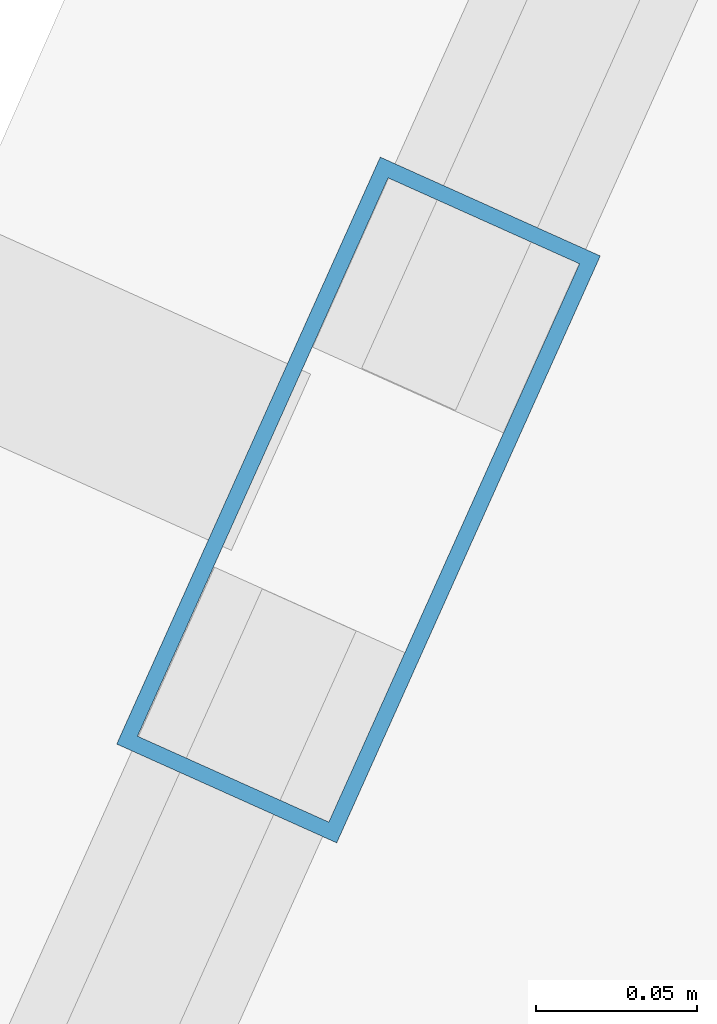
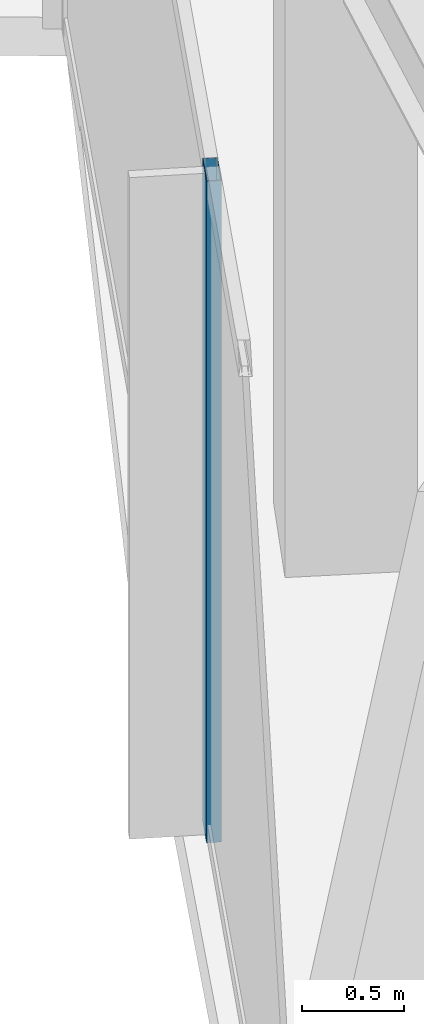
# One storey, part 4 of 22: 1 member, 1 element without a shape of its own.
"""IFC4 building model written with IfcOpenShell, lengths in metres."""

import ifcopenshell
import ifcopenshell.guid

model = None  # the IFC model being written
_history = None  # IfcOwnerHistory: only IFC2X3 demands one
_inside = {}  # id of a spatial element -> (the spatial element, [elements in it])
_under = {}  # id of a project, library or spatial element -> (it, [spatial elements below it])
_declared = {}  # id of a project -> (the project, [libraries it declares])
_typed = {}  # id of a type object -> (the type object, [elements of that type])
_made_of = {}  # id of a material, layer set ... -> (it, [elements and type objects made of it])


def new_model(schema):
    """Start an empty IFC model of exactly this schema.

    Asked for "IFC4X3", IfcOpenShell would pick the latest addendum, in which some entities
    have other attributes; the version numbers below select the first issue.
    IFC2X3 requires an IfcOwnerHistory on every rooted entity: one is made here for all.
    """
    global model, _history
    if schema == "IFC4X3":
        model = ifcopenshell.file(schema_version=(4, 3, 0, 0))
    else:
        model = ifcopenshell.file(schema=schema)
    _inside.clear()
    _under.clear()
    _declared.clear()
    _typed.clear()
    _made_of.clear()
    _history = None
    if model.schema == "IFC2X3":
        org = make("IfcOrganization", Name="unknown")
        user = make(
            "IfcPersonAndOrganization",
            ThePerson=make("IfcPerson", FamilyName="unknown"),
            TheOrganization=org,
        )
        app = make(
            "IfcApplication",
            ApplicationDeveloper=org,
            Version="unknown",
            ApplicationFullName="unknown",
            ApplicationIdentifier="unknown",
        )
        _history = make(
            "IfcOwnerHistory",
            OwningUser=user,
            OwningApplication=app,
            ChangeAction="ADDED",
            CreationDate=0,
        )
    return model


def make(cls, **values):
    """One entity of the class cls with the attributes given. An attribute that is None is left unset."""
    return model.create_entity(
        cls, **{name: value for name, value in values.items() if value is not None}
    )


def rooted(cls, **values):
    """An entity with a GlobalId (a new one), such as an element, a storey or a relation."""
    return make(cls, GlobalId=ifcopenshell.guid.new(), OwnerHistory=_history, **values)


def si_unit(unit_type, name, prefix=None):
    """IfcSIUnit, for example si_unit("LENGTHUNIT", "METRE", prefix="MILLI")."""
    return make("IfcSIUnit", UnitType=unit_type, Prefix=prefix, Name=name)


def assignment(units):
    """IfcUnitAssignment: the units of a project."""
    return None if units is None else make("IfcUnitAssignment", Units=units)


def point(xyz):
    """IfcCartesianPoint."""
    return None if xyz is None else make("IfcCartesianPoint", Coordinates=xyz)


def direction(xyz):
    """IfcDirection."""
    return None if xyz is None else make("IfcDirection", DirectionRatios=xyz)


def frame(location, z_axis=None, x_axis=None):
    """IfcAxis2Placement3D, a coordinate frame: its origin and axes. An axis left out is left unset."""
    return make(
        "IfcAxis2Placement3D",
        Location=point(location),
        Axis=direction(z_axis),
        RefDirection=direction(x_axis),
    )


def frame_2d(location, x_axis=None):
    """IfcAxis2Placement2D, a coordinate frame in the plane: its origin and x axis."""
    return make(
        "IfcAxis2Placement2D", Location=point(location), RefDirection=direction(x_axis)
    )


def origin():
    """The frame at (0, 0, 0) with its axes left unset."""
    return frame((0.0, 0.0, 0.0))


def origin_2d():
    """The frame at (0, 0) in the plane with its x axis left unset."""
    return frame_2d((0.0, 0.0))


def place(relative_to, where):
    """IfcLocalPlacement: puts the frame where relative to a parent placement (None: the world)."""
    return make(
        "IfcLocalPlacement", PlacementRelTo=relative_to, RelativePlacement=where
    )


def context(
    kind, dimensions, precision=None, world=None, true_north=None, identifier=None
):
    """IfcGeometricRepresentationContext, for example the 3D "Model" context."""
    return make(
        "IfcGeometricRepresentationContext",
        ContextIdentifier=identifier,
        ContextType=kind,
        CoordinateSpaceDimension=dimensions,
        Precision=precision,
        WorldCoordinateSystem=world,
        TrueNorth=true_north,
    )


def subcontext(parent, identifier, kind, view, scale=None):
    """IfcGeometricRepresentationSubContext, for example "Body" below "Model"."""
    return make(
        "IfcGeometricRepresentationSubContext",
        ContextIdentifier=identifier,
        ContextType=kind,
        ParentContext=parent,
        TargetScale=scale,
        TargetView=view,
    )


def project(units=None, contexts=None):
    """IfcProject with its units and contexts."""
    return rooted(
        "IfcProject",
        Name="project",
        RepresentationContexts=contexts,
        UnitsInContext=assignment(units),
    )


def spatial(cls, under=None, at=None, **own):
    """A site, building, storey or space (cls), placed at a placement, below another one or the project."""
    s = rooted(cls, ObjectPlacement=at, **own)
    if under is not None:
        _under.setdefault(under.id(), (under, []))[1].append(s)
    return s


def profile(cls, at=None, kind="AREA", **sizes):
    """A parametric profile (cls). Its sizes go by their IFC names, for example OverallWidth=200.0."""
    return make(cls, ProfileType=kind, Position=at, **sizes)


def hollow_rectangle(**sizes):
    """IfcRectangleHollowProfileDef."""
    return profile("IfcRectangleHollowProfileDef", **sizes)


def extrude(swept, where, along, depth):
    """IfcExtrudedAreaSolid: the profile swept, set in the frame where, extruded along a direction by depth."""
    return make(
        "IfcExtrudedAreaSolid",
        SweptArea=swept,
        Position=where,
        ExtrudedDirection=direction(along),
        Depth=depth,
    )


def shape(context_of_items, identifier, shape_type, items):
    """IfcShapeRepresentation: the items that make up one representation, for example the "Body"."""
    return make(
        "IfcShapeRepresentation",
        ContextOfItems=context_of_items,
        RepresentationIdentifier=identifier,
        RepresentationType=shape_type,
        Items=items,
    )


def material(Name=None, Category=None):
    """IfcMaterial."""
    return make("IfcMaterial", Name=Name, Category=Category)


def layer(
    of_material, thickness, ventilated=None, Name=None, Category=None, Priority=None
):
    """IfcMaterialLayer: one layer of a wall or slab, of a material (None: an air gap)."""
    return make(
        "IfcMaterialLayer",
        Material=of_material,
        LayerThickness=thickness,
        IsVentilated=ventilated,
        Name=Name,
        Category=Category,
        Priority=Priority,
    )


def layer_set(layers, Name=None):
    """IfcMaterialLayerSet."""
    return make("IfcMaterialLayerSet", MaterialLayers=layers, LayerSetName=Name)


def material_profile(
    of_material, cross_section, Name=None, Category=None, Priority=None
):
    """IfcMaterialProfile: a cross section and its material."""
    return make(
        "IfcMaterialProfile",
        Name=Name,
        Material=of_material,
        Profile=cross_section,
        Priority=Priority,
        Category=Category,
    )


def profile_set(profiles, Name=None, composite=None):
    """IfcMaterialProfileSet."""
    return make(
        "IfcMaterialProfileSet",
        Name=Name,
        MaterialProfiles=profiles,
        CompositeProfile=composite,
    )


def made_of(thing, what):
    """Note that an element or type object is made of a material, layer set ...; save() writes the relation."""
    if what is not None:
        _made_of.setdefault(what.id(), (what, []))[1].append(thing)
    return thing


def type_object(cls, material=None, **own):
    """A type object (cls), such as IfcWallType, which elements share."""
    return made_of(rooted(cls, **own), material)


def element(
    cls,
    number,
    at=None,
    inside=None,
    cuts=None,
    type_object=None,
    material=None,
    context=None,
    identifier="Body",
    shape_type=None,
    held_by="IfcProductDefinitionShape",
    body=None,
    shapes=None,
    **own,
):
    """One element of the class cls, such as IfcWall. Its Tag is "e" and its number.

    at: its placement. inside: the storey or other place that contains it. cuts: it is an
    opening in that element (IfcRelVoidsElement). A single representation is given by context,
    identifier, shape_type and body (its items); several are given by shapes. held_by: the class
    of the entity that holds the representations. save() writes the other relations.
    """
    e = rooted(cls, Tag="e%d" % number, ObjectPlacement=at, **own)
    if body is not None:
        shapes = [shape(context, identifier, shape_type, body)]
    if shapes is not None:
        e.Representation = make(held_by, Representations=shapes)
    if inside is not None:
        _inside.setdefault(inside.id(), (inside, []))[1].append(e)
    if cuts is not None:
        rooted(
            "IfcRelVoidsElement", RelatingBuildingElement=cuts, RelatedOpeningElement=e
        )
    if type_object is not None:
        _typed.setdefault(type_object.id(), (type_object, []))[1].append(e)
    return made_of(e, material)


def aggregate(whole, parts):
    """IfcRelAggregates: a whole, such as a stair, and the parts it consists of."""
    return rooted("IfcRelAggregates", RelatingObject=whole, RelatedObjects=parts)


def save(model, path):
    """Write the relations noted so far, then the file.

    IfcRelAggregates (storeys below a building ...), IfcRelContainedInSpatialStructure (elements
    in a storey), IfcRelDefinesByType, IfcRelAssociatesMaterial and IfcRelDeclares: one each for
    every whole, place, type object, material and project.
    """
    for whole, parts in _under.values():
        aggregate(whole, parts)
    for where, things in _inside.values():
        rooted(
            "IfcRelContainedInSpatialStructure",
            RelatedElements=things,
            RelatingStructure=where,
        )
    for kind, things in _typed.values():
        rooted("IfcRelDefinesByType", RelatedObjects=things, RelatingType=kind)
    for what, things in _made_of.values():
        rooted("IfcRelAssociatesMaterial", RelatedObjects=things, RelatingMaterial=what)
    for by, libraries in _declared.values():
        rooted("IfcRelDeclares", RelatingContext=by, RelatedDefinitions=libraries)
    model.write(path)


model = new_model("IFC4")

# Units and contexts
model_context = context("Model", 3, precision=1e-05, world=origin(), true_north=direction((0.0, 1.0)))
body_context = subcontext(model_context, "Body", "Model", "MODEL_VIEW")
ifc_project = project(units=[si_unit("LENGTHUNIT", "METRE"), si_unit("AREAUNIT", "SQUARE_METRE"), si_unit("VOLUMEUNIT", "CUBIC_METRE"), si_unit("PLANEANGLEUNIT", "RADIAN"), si_unit("MASSUNIT", "GRAM", prefix="KILO")], contexts=[model_context])

# Site, building, storey
site_placement = place(None, origin())
site = spatial("IfcSite", under=ifc_project, at=site_placement, CompositionType="ELEMENT")
building_placement = place(site_placement, origin())
building = spatial("IfcBuilding", under=site, at=building_placement, Name="Orvanel Arch Residences", CompositionType="ELEMENT")
storey_placement = place(building_placement, frame((0.0, 0.0, 276.64990234375)))
storey = spatial("IfcBuildingStorey", under=building, at=storey_placement, Name="L79", CompositionType="ELEMENT", Elevation=276.64990234375)

# Curtain wall, member
ifc_material = material(Name="Bronze-anodised aluminium AA6063-T6", Category="aluminium")
ifc_layer = layer(ifc_material, 0.195068359375)
ifc_layer_set = layer_set([ifc_layer], Name="Bronze-anodised aluminium AA6063-T6")
curtain_wall_type = type_object("IfcCurtainWallType", Name="CW6-COM-SYS", PredefinedType="NOTDEFINED", material=ifc_layer_set)
curtain_wall_placement = place(storey_placement, origin())
curtain_wall = element("IfcCurtainWall", 1, at=curtain_wall_placement, inside=storey, type_object=curtain_wall_type, Name="L79 CW6-COM-SYS Unitised Curtain Wall", PredefinedType="NOTDEFINED")
ifc_material_profile = material_profile(ifc_material, hollow_rectangle(XDim=0.074951171875, YDim=0.199951171875, WallThickness=0.0048828125, at=origin_2d()), Name="ALU200x75x5")
ifc_profile_set = profile_set([ifc_material_profile], Name="Bronze-anodised aluminium AA6063-T6")
member_type = type_object("IfcMemberType", Name="MUL-200x75", PredefinedType="MULLION", material=ifc_profile_set)
member_placement = place(storey_placement, frame((14.54638671875, 17.79345703125, 0.0), z_axis=(0.0, 0.0, 1.0), x_axis=(0.91225362662, -0.409625830142, 0.0)))
member = element("IfcMember", 2, at=member_placement, type_object=member_type, Name="CW-S6 mullion 2", PredefinedType="MULLION", context=body_context, shape_type="SweptSolid", body=[
    extrude(hollow_rectangle(XDim=0.074951171875, YDim=0.199951171875, WallThickness=0.0048828125, at=origin_2d()), origin(), (0.0, 0.0, 1.0), 3.9501953125),
])
aggregate(curtain_wall, [member])

save(model, "model.ifc")
